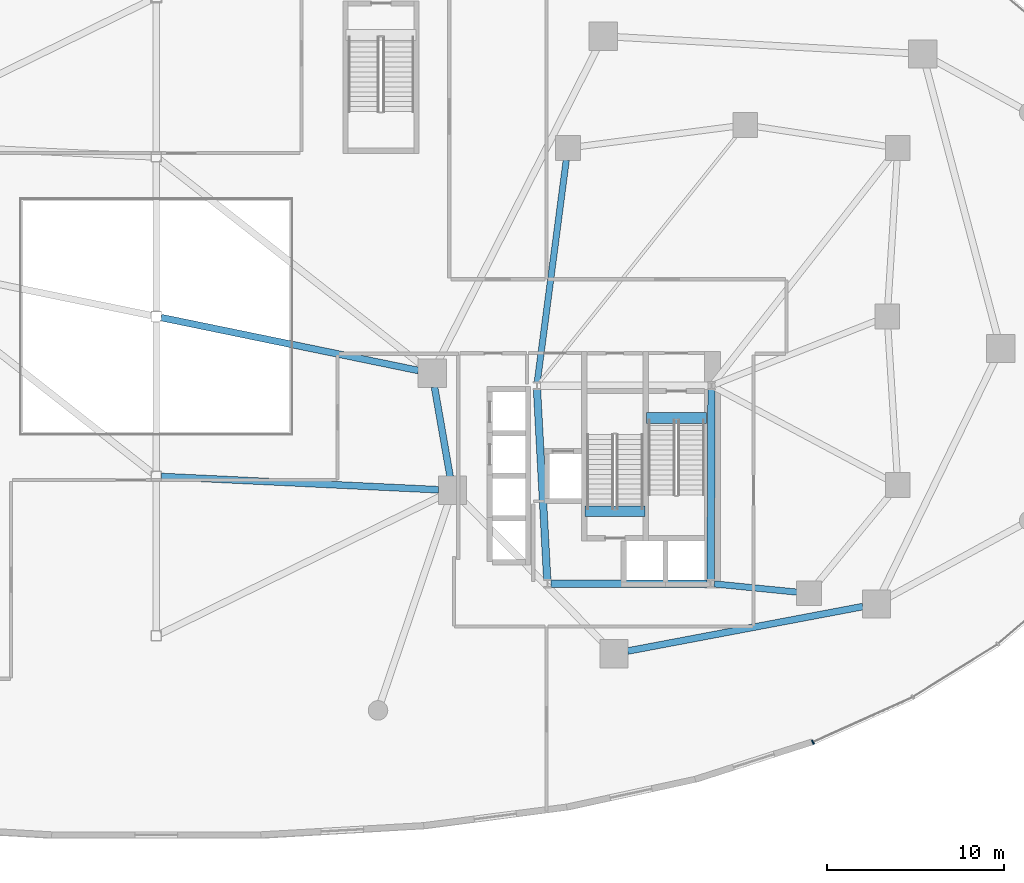
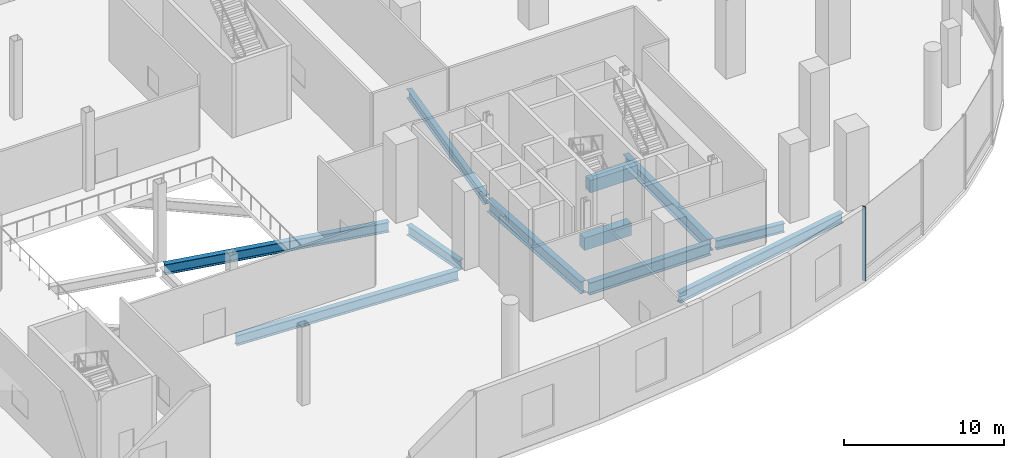
# One storey, part 7 of 20: 11 beams, 1 member, 1 element without a shape of its own.
"""IFC4 building model written with IfcOpenShell, lengths in metres."""

from ifc_helpers import new_model, si_unit, direction, frame, origin, origin_2d, place, context, subcontext, project, spatial, rectangle, i_section, extrude, material, material_profile, profile_set, type_object, element, aggregate, save


model = new_model("IFC4")

# Units and contexts
model_context = context("Model", 3, precision=1e-05, world=origin(), true_north=direction((0.0, 1.0)))
body_context = subcontext(model_context, "Body", "Model", "MODEL_VIEW")
ifc_project = project(units=[si_unit("LENGTHUNIT", "METRE"), si_unit("AREAUNIT", "SQUARE_METRE"), si_unit("VOLUMEUNIT", "CUBIC_METRE"), si_unit("PLANEANGLEUNIT", "RADIAN"), si_unit("MASSUNIT", "GRAM", prefix="KILO"), si_unit("THERMODYNAMICTEMPERATUREUNIT", "KELVIN"), si_unit("POWERUNIT", "WATT")], contexts=[model_context])

# Site, building, storey
site_placement = place(None, origin())
site = spatial("IfcSite", under=ifc_project, at=site_placement, CompositionType="ELEMENT")
building_placement = place(site_placement, origin())
building = spatial("IfcBuilding", under=site, at=building_placement, Name="Cundina Bronze Exchange", CompositionType="ELEMENT")
storey_placement = place(building_placement, frame((0.0, 0.0, 6.0)))
storey = spatial("IfcBuildingStorey", under=building, at=storey_placement, Name="L01", CompositionType="ELEMENT", Elevation=6.0)

# Beams
ifc_material_1 = material(Name="Concrete C60/75", Category="concrete")
ifc_material_profile_1 = material_profile(ifc_material_1, rectangle(XDim=0.60009765625, YDim=0.949951171875, at=origin_2d()), Name="RC600X950", Category="concrete")
ifc_profile_set_1 = profile_set([ifc_material_profile_1], Name="Concrete C60/75")
beam_type_1 = type_object("IfcBeamType", Name="BM-COUP-RC950", PredefinedType="LINTEL", material=ifc_profile_set_1)
beam_1_placement = place(storey_placement, frame((27.6201171875, -5.719970703125, -0.47509765625), z_axis=(1.0, 0.0, 0.0), x_axis=(0.0, 1.0, 0.0)))
element("IfcBeam", 1, at=beam_1_placement, inside=storey, type_object=beam_type_1, Name="L01 Stair E1 Landing Header Beam", PredefinedType="LINTEL", context=body_context, shape_type="SweptSolid", body=[
    extrude(rectangle(XDim=0.60009765625, YDim=0.949951171875, at=origin_2d()), origin(), (0.0, 0.0, 1.0), 3.39990234375),
])
beam_2_placement = place(storey_placement, frame((24.159912109375, -10.97998046875, -0.47509765625), z_axis=(1.0, 0.0, 0.0), x_axis=(0.0, 1.0, 0.0)))
element("IfcBeam", 2, at=beam_2_placement, inside=storey, type_object=beam_type_1, Name="L01 Stair E2 Landing Header Beam", PredefinedType="LINTEL", context=body_context, shape_type="SweptSolid", body=[
    extrude(rectangle(XDim=0.60009765625, YDim=0.949951171875, at=origin_2d()), origin(), (0.0, 0.0, 1.0), 3.400146484375),
])
ifc_material_2 = material(Name="Steel ASTM A992 Grade 50", Category="steel")
ifc_material_profile_2 = material_profile(ifc_material_2, i_section(OverallWidth=0.35498046875, OverallDepth=0.695068359375, WebThickness=0.015380859375, FlangeThickness=0.02490234375, FilletRadius=0.01806640625, at=origin_2d()), Name="W27X146", Category="steel")
ifc_profile_set_2 = profile_set([ifc_material_profile_2], Name="Steel ASTM A992 Grade 50")
beam_type_2 = type_object("IfcBeamType", Name="BM-RING-W27", PredefinedType="USERDEFINED", material=ifc_profile_set_2)
beam_3_placement = place(storey_placement, frame((31.452880859375, -15.070068359375, -0.697509765625), z_axis=(0.995123484374, -0.098636964914, 0.0), x_axis=(0.098636964914, 0.995123484374, 0.0)))
element("IfcBeam", 3, at=beam_3_placement, inside=storey, type_object=beam_type_2, Name="L01 E Inner Structural Ring Girder 01", ObjectType="GIRDER", PredefinedType="USERDEFINED", context=body_context, shape_type="SweptSolid", body=[
    extrude(i_section(OverallWidth=0.35498046875, OverallDepth=0.695068359375, WebThickness=0.015380859375, FlangeThickness=0.02490234375, FilletRadius=0.01806640625, at=origin_2d()), origin(), (0.0, 0.0, 1.0), 4.685546875),
])
beam_4_placement = place(storey_placement, frame((23.11083984375, 8.81787109375, -0.697509765625), z_axis=(-0.129498776905, -0.991579581668, 0.0), x_axis=(0.991579581668, -0.129498776905, 0.0)))
element("IfcBeam", 4, at=beam_4_placement, inside=storey, type_object=beam_type_2, Name="L01 E Inner Structural Ring Girder 07", ObjectType="GIRDER", PredefinedType="USERDEFINED", context=body_context, shape_type="SweptSolid", body=[
    extrude(i_section(OverallWidth=0.35498046875, OverallDepth=0.695068359375, WebThickness=0.015380859375, FlangeThickness=0.02490234375, FilletRadius=0.01806640625, at=origin_2d()), origin(), (0.0, 0.0, 1.0), 12.621826171875),
])
ifc_material_profile_3 = material_profile(ifc_material_2, i_section(OverallWidth=0.381103515625, OverallDepth=0.77294921875, WebThickness=0.0166015625, FlangeThickness=0.027099609375, FilletRadius=0.01904296875, at=origin_2d()), Name="W30X173", Category="steel")
ifc_profile_set_3 = profile_set([ifc_material_profile_3], Name="Steel ASTM A992 Grade 50")
beam_type_3 = type_object("IfcBeamType", Name="BM-RING-W30", PredefinedType="USERDEFINED", material=ifc_profile_set_3)
beam_5_placement = place(storey_placement, frame((0.28759765625, -9.013916015625, -0.736572265625), z_axis=(0.998855248542, -0.047835054714, 0.0), x_axis=(0.047835054714, 0.998855248542, 0.0)))
element("IfcBeam", 5, at=beam_5_placement, inside=storey, type_object=beam_type_3, Name="L01 Concourse East Span Girder 02", ObjectType="GIRDER", PredefinedType="USERDEFINED", context=body_context, shape_type="SweptSolid", body=[
    extrude(i_section(OverallWidth=0.381103515625, OverallDepth=0.77294921875, WebThickness=0.0166015625, FlangeThickness=0.027099609375, FilletRadius=0.01904296875, at=origin_2d()), origin(), (0.0, 0.0, 1.0), 15.64306640625),
])
beam_6_placement = place(storey_placement, frame((0.281982421875, -0.05810546875, -0.736572265625), z_axis=(0.979475533682, -0.201563089177, 0.0), x_axis=(0.201563089177, 0.979475533682, 0.0)))
element("IfcBeam", 6, at=beam_6_placement, inside=storey, type_object=beam_type_3, Name="L01 Concourse East Span Girder 03", ObjectType="GIRDER", PredefinedType="USERDEFINED", context=body_context, shape_type="SweptSolid", body=[
    extrude(i_section(OverallWidth=0.381103515625, OverallDepth=0.77294921875, WebThickness=0.0166015625, FlangeThickness=0.027099609375, FilletRadius=0.01904296875, at=origin_2d()), origin(), (0.0, 0.0, 1.0), 14.800048828125),
])
beam_7_placement = place(storey_placement, frame((15.685302734375, -3.976318359375, -0.736572265625), z_axis=(0.171642817546, -0.985159247627, 0.0), x_axis=(0.985159247627, 0.171642817546, 0.0)))
element("IfcBeam", 7, at=beam_7_placement, inside=storey, type_object=beam_type_3, Name="L01 E Podium Ring Girder 00", ObjectType="GIRDER", PredefinedType="USERDEFINED", context=body_context, shape_type="SweptSolid", body=[
    extrude(i_section(OverallWidth=0.381103515625, OverallDepth=0.77294921875, WebThickness=0.0166015625, FlangeThickness=0.027099609375, FilletRadius=0.01904296875, at=origin_2d()), origin(), (0.0, 0.0, 1.0), 5.123291015625),
])
beam_8_placement = place(storey_placement, frame((26.57421875, -18.853515625, -0.736572265625), z_axis=(0.982569620145, 0.185894974562, 0.0), x_axis=(-0.185894974562, 0.982569620145, 0.0)))
element("IfcBeam", 8, at=beam_8_placement, inside=storey, type_object=beam_type_3, Name="L01 E Podium Ring Girder 04", ObjectType="GIRDER", PredefinedType="USERDEFINED", context=body_context, shape_type="SweptSolid", body=[
    extrude(i_section(OverallWidth=0.381103515625, OverallDepth=0.77294921875, WebThickness=0.0166015625, FlangeThickness=0.027099609375, FilletRadius=0.01904296875, at=origin_2d()), origin(), (0.0, 0.0, 1.0), 13.486572265625),
])
ifc_material_profile_4 = material_profile(ifc_material_2, i_section(OverallWidth=0.41796875, OverallDepth=0.927001953125, WebThickness=0.019287109375, FlangeThickness=0.031982421875, FilletRadius=0.02392578125, at=origin_2d()), Name="W36X231", Category="steel")
ifc_profile_set_4 = profile_set([ifc_material_profile_4], Name="Steel ASTM A992 Grade 50")
beam_type_4 = type_object("IfcBeamType", Name="BM-WRN-W36B", PredefinedType="USERDEFINED", material=ifc_profile_set_4)
beam_9_placement = place(storey_placement, frame((21.4609375, -4.103759765625, -0.8134765625), z_axis=(0.053739193498, -0.998555005537, 0.0), x_axis=(0.998555005537, 0.053739193498, 0.0)))
element("IfcBeam", 9, at=beam_9_placement, inside=storey, type_object=beam_type_4, Name="L01 E Core Perimeter Tie Girder 2", ObjectType="GIRDER", PredefinedType="USERDEFINED", context=body_context, shape_type="SweptSolid", body=[
    extrude(i_section(OverallWidth=0.41796875, OverallDepth=0.927001953125, WebThickness=0.019287109375, FlangeThickness=0.031982421875, FilletRadius=0.02392578125, at=origin_2d()), origin(), (0.0, 0.0, 1.0), 10.758056640625),
])
beam_10_placement = place(storey_placement, frame((22.25390625, -15.050048828125, -0.8134765625), z_axis=(1.0, 0.0, 0.0), x_axis=(0.0, 1.0, 0.0)))
element("IfcBeam", 10, at=beam_10_placement, inside=storey, type_object=beam_type_4, Name="L01 E Core Perimeter Tie Girder 3", ObjectType="GIRDER", PredefinedType="USERDEFINED", context=body_context, shape_type="SweptSolid", body=[
    extrude(i_section(OverallWidth=0.41796875, OverallDepth=0.927001953125, WebThickness=0.019287109375, FlangeThickness=0.031982421875, FilletRadius=0.02392578125, at=origin_2d()), origin(), (0.0, 0.0, 1.0), 8.7919921875),
])
beam_11_placement = place(storey_placement, frame((31.2509765625, -14.845947265625, -0.8134765625), z_axis=(0.004477329608, 0.99998997671, 0.0), x_axis=(-0.99998997671, 0.004477329608, 0.0)))
element("IfcBeam", 11, at=beam_11_placement, inside=storey, type_object=beam_type_4, Name="L01 E Core Perimeter Tie Girder 4", ObjectType="GIRDER", PredefinedType="USERDEFINED", context=body_context, shape_type="SweptSolid", body=[
    extrude(i_section(OverallWidth=0.41796875, OverallDepth=0.927001953125, WebThickness=0.019287109375, FlangeThickness=0.031982421875, FilletRadius=0.02392578125, at=origin_2d()), origin(), (0.0, 0.0, 1.0), 10.741943359375),
])

# Curtain wall, member
ifc_material_3 = material(Name="Anodised Bronze Aluminium 6063-T6", Category="aluminium")
curtain_wall_type = type_object("IfcCurtainWallType", Name="CWS-POD-CONC", PredefinedType="NOTDEFINED", material=ifc_material_3)
curtain_wall_placement = place(storey_placement, origin())
curtain_wall = element("IfcCurtainWall", 12, at=curtain_wall_placement, inside=storey, type_object=curtain_wall_type, Name="L01 CW-01 Curtain Wall Run CWR-L01-06", PredefinedType="NOTDEFINED")
ifc_material_profile_5 = material_profile(ifc_material_3, rectangle(XDim=0.0849609375, YDim=0.25, at=origin_2d()), Name="AL85X250", Category="aluminium")
ifc_profile_set_5 = profile_set([ifc_material_profile_5], Name="Anodised Bronze Aluminium 6063-T6")
member_type = type_object("IfcMemberType", Name="CWM-MUL-250", PredefinedType="MULLION", material=ifc_profile_set_5)
member_placement = place(storey_placement, frame((37.013671875, -23.990478515625, 0.0), z_axis=(0.0, 0.0, 1.0), x_axis=(0.911618620107, 0.411037092578, 0.0)))
member = element("IfcMember", 13, at=member_placement, type_object=member_type, Name="CW-01 Mullion 1", PredefinedType="MULLION", context=body_context, shape_type="SweptSolid", body=[
    extrude(rectangle(XDim=0.0849609375, YDim=0.25, at=origin_2d()), origin(), (0.0, 0.0, 1.0), 5.64990234375),
])
aggregate(curtain_wall, [member])

save(model, "model.ifc")
